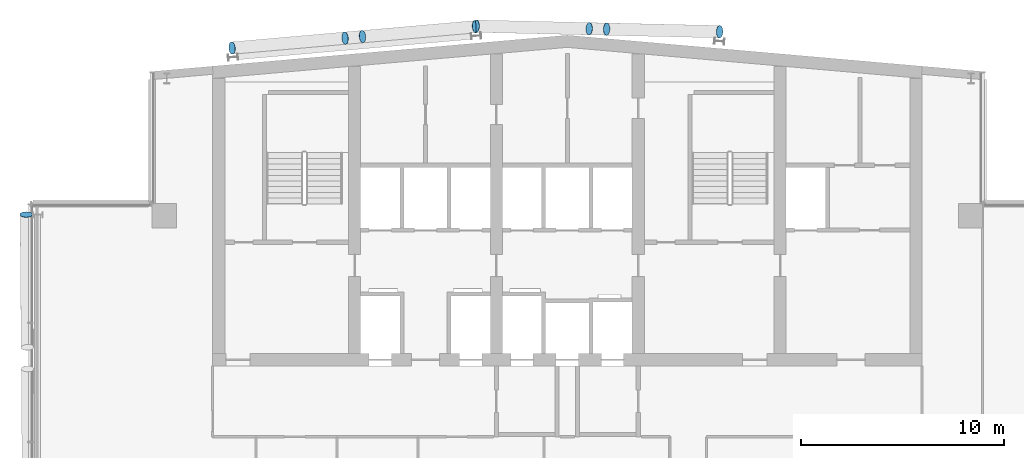
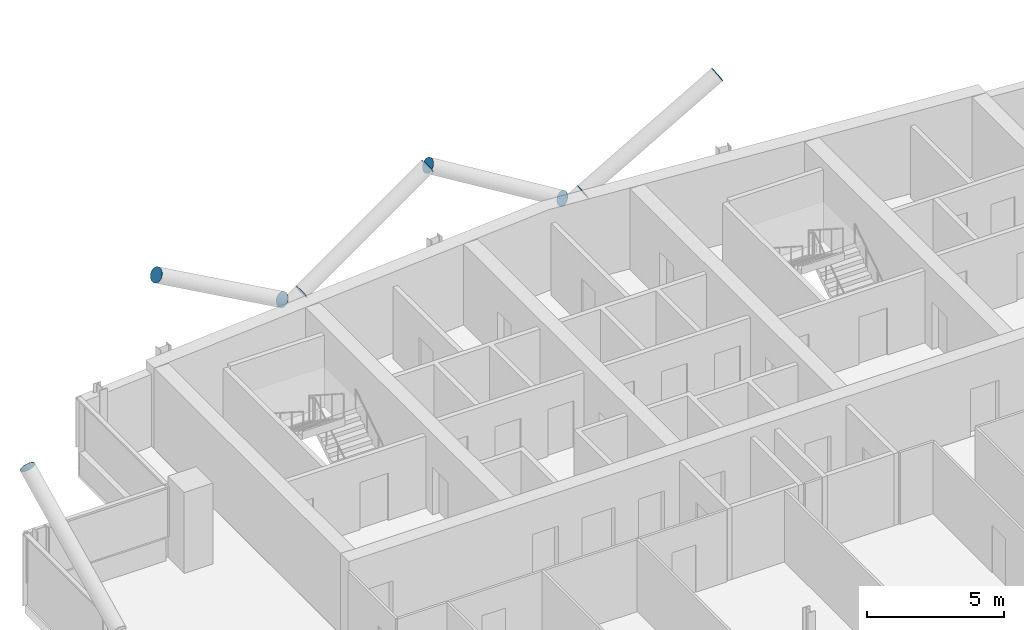
# One storey, part 22 of 26: 9 discrete accessories.
"""IFC4 building model written with IfcOpenShell, lengths in metres."""

from ifc_helpers import new_model, si_unit, direction, frame, origin, origin_2d, place, context, subcontext, project, spatial, circle, extrude, material, material_profile, profile_set, type_object, element, save


model = new_model("IFC4")

# Units and contexts
model_context = context("Model", 3, precision=1e-05, world=origin(), true_north=direction((0.0, 1.0)))
body_context = subcontext(model_context, "Body", "Model", "MODEL_VIEW")
ifc_project = project(units=[si_unit("LENGTHUNIT", "METRE"), si_unit("AREAUNIT", "SQUARE_METRE"), si_unit("VOLUMEUNIT", "CUBIC_METRE"), si_unit("PLANEANGLEUNIT", "RADIAN"), si_unit("MASSUNIT", "GRAM", prefix="KILO")], contexts=[model_context])

# Site, building, storey
site_placement = place(None, origin())
site = spatial("IfcSite", under=ifc_project, at=site_placement, CompositionType="ELEMENT")
building_placement = place(site_placement, origin())
building = spatial("IfcBuilding", under=site, at=building_placement, Name="Wharfspan Tower", CompositionType="ELEMENT")
storey_placement = place(building_placement, frame((0.0, 0.0, 214.300049)))
storey = spatial("IfcBuildingStorey", under=building, at=storey_placement, Name="L53", CompositionType="ELEMENT", Elevation=214.300049)

# Discrete accessories
ifc_material = material(Name="Steel S460NH", Category="steel")
ifc_material_profile = material_profile(ifc_material, circle(Radius=0.304932, at=origin_2d()))
ifc_profile_set = profile_set([ifc_material_profile], Name="Steel S460NH")
discrete_accessory_type = type_object("IfcDiscreteAccessoryType", Name="End plate CHS 610x25", PredefinedType="BRACKET", material=ifc_profile_set)
discrete_accessory_placement = place(storey_placement, frame((13.792969, 41.459717, 6.5), z_axis=(0.0, 0.894427, 0.447214), x_axis=(-1.0, 0.0, 0.0)))
element("IfcDiscreteAccessory", 1, at=discrete_accessory_placement, inside=storey, type_object=discrete_accessory_type, Name="End plate CHS 610x25", PredefinedType="BRACKET", context=body_context, shape_type="SweptSolid", body=[
    extrude(circle(Radius=0.304932, at=origin_2d()), origin(), (0.0, 0.0, 1.0), 0.009766),
])
for number, where, z_axis, x_axis, name in (
    (2, (30.38501, 50.247314, 3.154541), (0.855186, 0.073302, 0.513112), (-0.085402, 0.996345, 1e-06), "End plate CHS 610x25"),
    (3, (35.960693, 50.735107, 6.5), (0.855186, 0.073302, 0.513112), (-0.085402, 0.996345, 1e-06), "End plate CHS 610x25"),
    (4, (29.536133, 50.172852, 3.154541), (-0.855186, -0.073302, 0.513112), (0.085402, -0.996345, 1e-06), "End plate CHS 610x25"),
    (5, (23.960693, 49.685059, 6.5), (-0.855186, -0.073302, 0.513112), (0.085402, -0.996345, 1e-06), "End plate CHS 610x25"),
    (6, (42.434326, 50.616943, 3.154297), (0.857236, -0.024492, 0.514341), (0.028558, 0.999591, 2e-06), "End plate CHS 610x25"),
    (7, (48.010254, 50.490234, 6.5), (0.857236, -0.024492, 0.514341), (0.028558, 0.999591, 2e-06), "End plate CHS 610x25"),
    (8, (41.586426, 50.63623, 3.154297), (-0.857236, 0.024492, 0.514341), (-0.028558, -0.999591, 2e-06), "End plate CHS 610x25"),
    (9, (36.010498, 50.762939, 6.5), (-0.857236, 0.024492, 0.514341), (-0.028558, -0.999591, 2e-06), "End plate CHS 610x25"),
):
    element("IfcDiscreteAccessory", number, at=place(storey_placement, frame(where, z_axis=z_axis, x_axis=x_axis)), inside=storey, type_object=discrete_accessory_type, Name=name, PredefinedType="BRACKET", context=body_context, shape_type="SweptSolid", body=[
        extrude(circle(Radius=0.304932, at=origin_2d()), origin(), (0.0, 0.0, 1.0), 0.01001),
    ])

save(model, "model.ifc")
